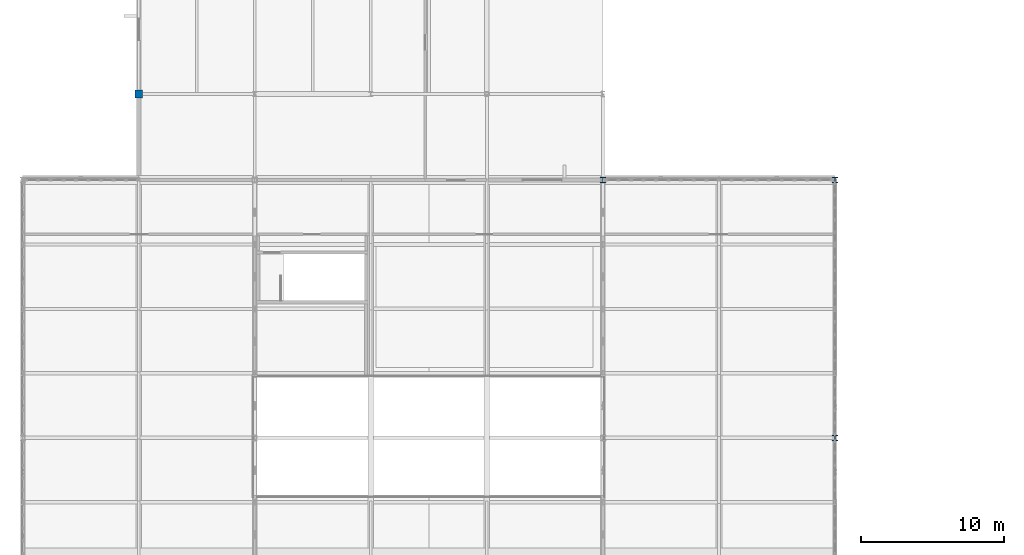
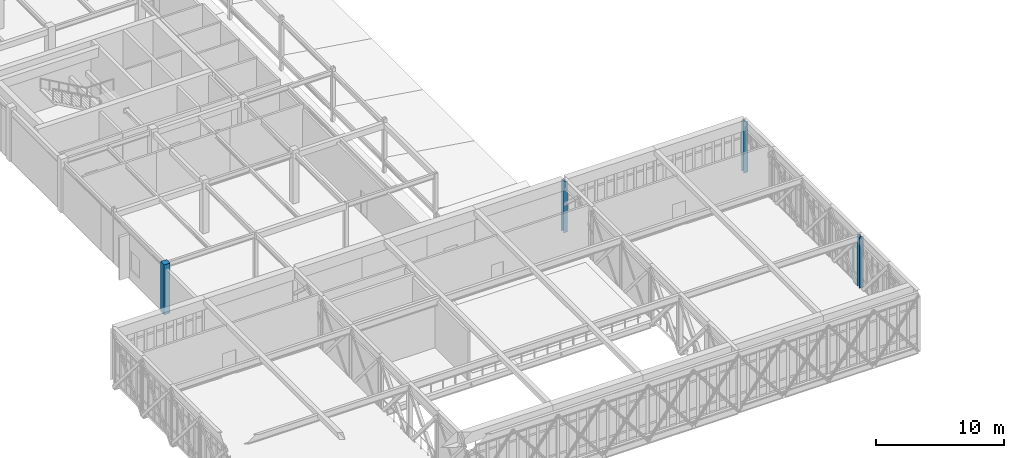
# One storey, part 2 of 70: 4 columns.
"""IFC4 building model written with IfcOpenShell, lengths in metres."""

from ifc_helpers import new_model, si_unit, direction, frame, origin, origin_2d, place, context, subcontext, project, spatial, rectangle, i_section, extrude, material, material_profile, profile_set, type_object, element, save


model = new_model("IFC4")

# Units and contexts
model_context = context("Model", 3, precision=1e-05, world=origin(), true_north=direction((0.0, 1.0)))
body_context = subcontext(model_context, "Body", "Model", "MODEL_VIEW")
ifc_project = project(units=[si_unit("LENGTHUNIT", "METRE"), si_unit("AREAUNIT", "SQUARE_METRE"), si_unit("VOLUMEUNIT", "CUBIC_METRE"), si_unit("PLANEANGLEUNIT", "RADIAN"), si_unit("MASSUNIT", "GRAM", prefix="KILO")], contexts=[model_context])

# Site, building, storey
site_placement = place(None, origin())
site = spatial("IfcSite", under=ifc_project, at=site_placement, CompositionType="ELEMENT")
building_placement = place(site_placement, origin())
building = spatial("IfcBuilding", under=site, at=building_placement, Name="Tarnveldt Square Police Headquarters", CompositionType="ELEMENT")
storey_placement = place(building_placement, frame((0.0, 0.0, 19.800048828125)))
storey = spatial("IfcBuildingStorey", under=building, at=storey_placement, Name="L04", CompositionType="ELEMENT", Elevation=19.800048828125)

# Columns
ifc_material_1 = material(Name="Concrete 40 MPa", Category="concrete")
ifc_material_profile_1 = material_profile(ifc_material_1, rectangle(XDim=0.550048828125, YDim=0.550048828125, at=origin_2d()), Name="RC-C550x550")
ifc_profile_set_1 = profile_set([ifc_material_profile_1], Name="Concrete 40 MPa")
column_type_1 = type_object("IfcColumnType", Name="COL-RC550", PredefinedType="COLUMN", material=ifc_profile_set_1)
column_placement = place(storey_placement, frame((16.199951171875, 40.0, 0.0), z_axis=(0.0, 0.0, 1.0), x_axis=(1.0, 0.0, 0.0)))
element("IfcColumn", 1, at=column_placement, inside=storey, type_object=column_type_1, Name="L04 Column 018", PredefinedType="COLUMN", context=body_context, shape_type="SweptSolid", body=[
    extrude(rectangle(XDim=0.550048828125, YDim=0.550048828125, at=origin_2d()), origin(), (0.0, 0.0, 1.0), 4.760009765625),
])
ifc_material_2 = material(Name="Steel 350W", Category="steel")
ifc_material_profile_2 = material_profile(ifc_material_2, i_section(OverallWidth=0.3740234375, OverallDepth=0.3720703125, WebThickness=0.016357421875, FlangeThickness=0.026123046875, FilletRadius=0.01611328125, at=origin_2d()), Name="W360x196")
ifc_profile_set_2 = profile_set([ifc_material_profile_2], Name="Steel 350W")
column_type_2 = type_object("IfcColumnType", Name="COL-W360x196", PredefinedType="COLUMN", material=ifc_profile_set_2)
for number, where, z_axis, x_axis, name in (
    (2, (48.60009765625, 34.0, 0.0), (0.0, 0.0, 1.0), (1.0, 0.0, 0.0), "L04 Column 071"),
    (3, (64.800048828125, 16.0, 0.0), (0.0, 0.0, 1.0), (1.0, 0.0, 0.0), "L04 Column 095"),
    (4, (64.800048828125, 34.0, 0.0), (0.0, 0.0, 1.0), (1.0, 0.0, 0.0), "L04 Column 096"),
):
    element("IfcColumn", number, at=place(storey_placement, frame(where, z_axis=z_axis, x_axis=x_axis)), inside=storey, type_object=column_type_2, Name=name, PredefinedType="COLUMN", context=body_context, shape_type="SweptSolid", body=[
        extrude(i_section(OverallWidth=0.3740234375, OverallDepth=0.3720703125, WebThickness=0.016357421875, FlangeThickness=0.026123046875, FilletRadius=0.01611328125, at=origin_2d()), origin(), (0.0, 0.0, 1.0), 4.85986328125),
    ])

save(model, "model.ifc")
